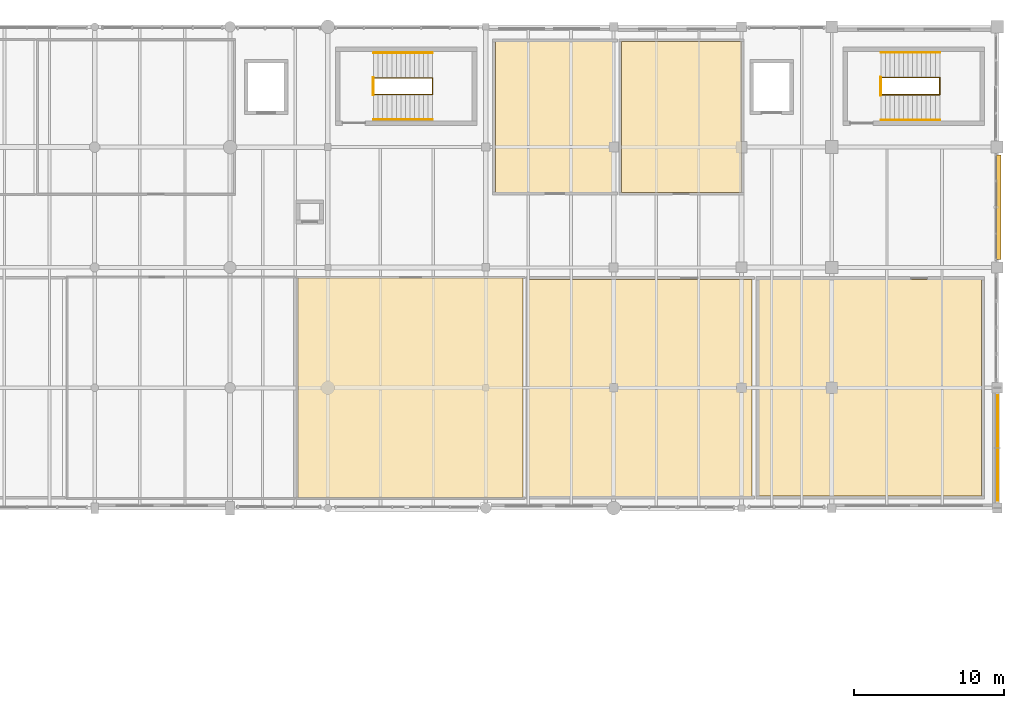
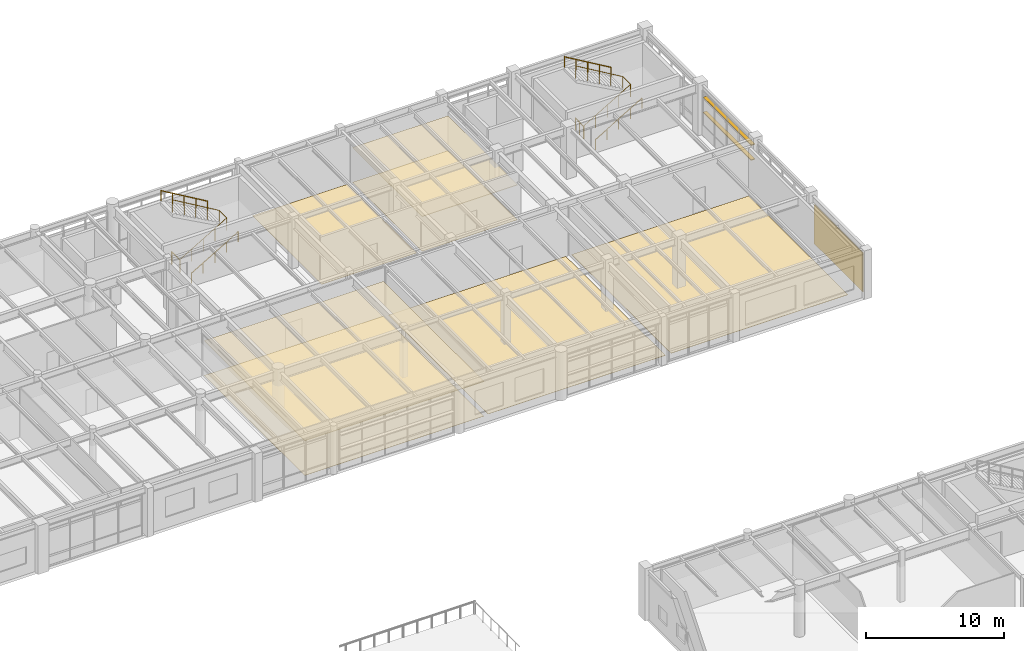
# One storey, part 168 of 168: 8 coverings, 8 railings, 2 shading devices.
"""IFC4 building model written with IfcOpenShell, lengths in metres."""

from ifc_helpers import new_model, si_unit, direction, frame, origin, origin_2d, place, context, subcontext, project, spatial, polyline, rectangle, circle, outline, extrude, material, layer, layer_set, type_object, element, save


model = new_model("IFC4")

# Units and contexts
model_context = context("Model", 3, precision=1e-05, world=origin(), true_north=direction((0.0, 1.0)))
body_context = subcontext(model_context, "Body", "Model", "MODEL_VIEW")
ifc_project = project(units=[si_unit("LENGTHUNIT", "METRE"), si_unit("AREAUNIT", "SQUARE_METRE"), si_unit("VOLUMEUNIT", "CUBIC_METRE"), si_unit("PLANEANGLEUNIT", "RADIAN"), si_unit("MASSUNIT", "GRAM", prefix="KILO"), si_unit("THERMODYNAMICTEMPERATUREUNIT", "KELVIN"), si_unit("POWERUNIT", "WATT")], contexts=[model_context])

# Site, building, storey
site_placement = place(None, origin())
site = spatial("IfcSite", under=ifc_project, at=site_placement, CompositionType="ELEMENT")
building_placement = place(site_placement, origin())
building = spatial("IfcBuilding", under=site, at=building_placement, Name="Tepalcoro Natatorium and Aquatics Centre", CompositionType="ELEMENT")
storey_placement = place(building_placement, frame((0.0, 0.0, 10.199951171875)))
storey = spatial("IfcBuildingStorey", under=building, at=storey_placement, Name="L02", CompositionType="ELEMENT", Elevation=10.199951171875)

# Coverings
ifc_material_1 = material(Name="Jalisco Cantera Rosa Volcanic Tuff Ashlar Masonry", Category="masonry")
ifc_layer_1 = layer(ifc_material_1, 0.06005859375)
ifc_layer_set_1 = layer_set([ifc_layer_1], Name="Jalisco Cantera Rosa Volcanic Tuff Ashlar Masonry")
covering_type_1 = type_object("IfcCoveringType", Name="CD_CANTERA_60", PredefinedType="CLADDING", material=ifc_layer_set_1)
covering_1_placement = place(storey_placement, frame((176.02490234375, 89.987548828125, 0.10009765625), z_axis=(0.0, 0.0, 1.0), x_axis=(1.0, 0.0, 0.0)))
element("IfcCovering", 1, at=covering_1_placement, inside=storey, type_object=covering_type_1, Name="Volcanic Stone Facade Cladding CD_CANTERA_60", PredefinedType="CLADDING", context=body_context, shape_type="SweptSolid", body=[
    extrude(rectangle(XDim=0.06005859375, YDim=7.01708984375, at=origin_2d()), origin(), (0.0, 0.0, 1.0), 3.4580078125),
])
ifc_material_2 = material(Name="Perforated Corrosion-Resistant Acoustic Aluminium Baffle Ceiling", Category="aluminium")
ifc_layer_2 = layer(ifc_material_2, 0.044921875)
ifc_layer_set_2 = layer_set([ifc_layer_2], Name="Perforated Corrosion-Resistant Acoustic Aluminium Baffle Ceiling")
covering_type_2 = type_object("IfcCoveringType", Name="CL_BAFFLE_120", PredefinedType="CEILING", material=ifc_layer_set_2)
covering_2_placement = place(storey_placement, frame((0.0, 0.0, 3.050048828125)))
element("IfcCovering", 2, at=covering_2_placement, inside=storey, type_object=covering_type_2, Name="VIP Federation Delegates Dining Salon Suspended Ceiling", PredefinedType="CEILING", context=body_context, shape_type="SweptSolid", body=[
    extrude(outline(polyline([(129.514892578125, 86.715087890625), (129.514892578125, 101.284912109375), (144.485107421875, 101.284912109375), (144.485107421875, 86.715087890625), (129.514892578125, 86.715087890625)])), origin(), (0.0, 0.0, 1.0), 0.044921875),
])
covering_3_placement = place(storey_placement, frame((0.0, 0.0, 3.050048828125)))
element("IfcCovering", 3, at=covering_3_placement, inside=storey, type_object=covering_type_2, Name="Broadcast Archive & Equipment Store Suspended Ceiling", PredefinedType="CEILING", context=body_context, shape_type="SweptSolid", body=[
    extrude(outline(polyline([(151.010009765625, 106.969970703125), (151.010009765625, 117.030029296875), (158.989990234375, 117.030029296875), (158.989990234375, 106.969970703125), (151.010009765625, 106.969970703125)])), origin(), (0.0, 0.0, 1.0), 0.044921875),
])
ifc_material_3 = material(Name="Shock-Absorbing Vulcanised Athletic Rubber Flooring")
ifc_layer_3 = layer(ifc_material_3, 0.010009765625)
ifc_layer_set_3 = layer_set([ifc_layer_3], Name="Shock-Absorbing Vulcanised Athletic Rubber Flooring")
covering_type_3 = type_object("IfcCoveringType", Name="FL_CARPET_10", PredefinedType="FLOORING", material=ifc_layer_set_3)
covering_4_placement = place(storey_placement, origin())
element("IfcCovering", 4, at=covering_4_placement, inside=storey, type_object=covering_type_3, Name="Server Room, Timing Redundancy & UPS Suite Floor Finish", PredefinedType="FLOORING", context=body_context, shape_type="SweptSolid", body=[
    extrude(outline(polyline([(142.635009765625, 106.9951171875), (142.635009765625, 117.0048828125), (150.56494140625, 117.0048828125), (150.56494140625, 106.9951171875), (142.635009765625, 106.9951171875)])), origin(), (0.0, 0.0, 1.0), 0.010009765625),
])
ifc_material_4 = material(Name="Slip-Resistant Porcelain Aquatic Deck Tile")
ifc_layer_4 = layer(ifc_material_4, 0.02197265625)
ifc_layer_set_4 = layer_set([ifc_layer_4], Name="Slip-Resistant Porcelain Aquatic Deck Tile")
covering_type_4 = type_object("IfcCoveringType", Name="FL_DECK_TILE_22", PredefinedType="FLOORING", material=ifc_layer_set_4)
covering_5_placement = place(storey_placement, origin())
element("IfcCovering", 5, at=covering_5_placement, inside=storey, type_object=covering_type_4, Name="Thermal Spa Massage & Hydro-Jet Treatment Suites Floor Finish", PredefinedType="FLOORING", context=body_context, shape_type="SweptSolid", body=[
    extrude(outline(polyline([(144.8701171875, 86.7900390625), (144.8701171875, 101.2099609375), (159.68994140625, 101.2099609375), (159.68994140625, 86.7900390625), (144.8701171875, 86.7900390625)])), origin(), (0.0, 0.0, 1.0), 0.02197265625),
])
ifc_layer_5 = layer(ifc_material_3, 0.011962890625)
ifc_layer_set_5 = layer_set([ifc_layer_5], Name="Shock-Absorbing Vulcanised Athletic Rubber Flooring")
covering_type_5 = type_object("IfcCoveringType", Name="FL_RUBBER_12", PredefinedType="FLOORING", material=ifc_layer_set_5)
covering_6_placement = place(storey_placement, origin())
element("IfcCovering", 6, at=covering_6_placement, inside=storey, type_object=covering_type_5, Name="Broadcast Archive & Equipment Store Floor Finish", PredefinedType="FLOORING", context=body_context, shape_type="SweptSolid", body=[
    extrude(outline(polyline([(151.010009765625, 106.969970703125), (151.010009765625, 117.030029296875), (158.989990234375, 117.030029296875), (158.989990234375, 106.969970703125), (151.010009765625, 106.969970703125)])), origin(), (0.0, 0.0, 1.0), 0.011962890625),
])
ifc_layer_6 = layer(ifc_material_4, 0.01806640625)
ifc_layer_set_6 = layer_set([ifc_layer_6], Name="Slip-Resistant Porcelain Aquatic Deck Tile")
covering_type_6 = type_object("IfcCoveringType", Name="FL_TILE_18", PredefinedType="FLOORING", material=ifc_layer_set_6)
covering_7_placement = place(storey_placement, origin())
element("IfcCovering", 7, at=covering_7_placement, inside=storey, type_object=covering_type_6, Name="VIP Federation Delegates Dining Salon Floor Finish", PredefinedType="FLOORING", context=body_context, shape_type="SweptSolid", body=[
    extrude(outline(polyline([(129.514892578125, 86.715087890625), (129.514892578125, 101.284912109375), (144.485107421875, 101.284912109375), (144.485107421875, 86.715087890625), (129.514892578125, 86.715087890625)])), origin(), (0.0, 0.0, 1.0), 0.01806640625),
])
ifc_material_5 = material(Name="Sprung Maple Sports Floor Assembly")
ifc_layer_7 = layer(ifc_material_5, 0.02392578125)
ifc_layer_set_7 = layer_set([ifc_layer_7], Name="Sprung Maple Sports Floor Assembly")
covering_type_7 = type_object("IfcCoveringType", Name="FL_WOOD_22", PredefinedType="FLOORING", material=ifc_layer_set_7)
covering_8_placement = place(storey_placement, origin())
element("IfcCovering", 8, at=covering_8_placement, inside=storey, type_object=covering_type_7, Name="L02 Spa & Broadcast Male/Female & Accessible WC Floor Finish", PredefinedType="FLOORING", context=body_context, shape_type="SweptSolid", body=[
    extrude(outline(polyline([(160.169921875, 86.81005859375), (160.169921875, 101.18994140625), (174.949951171875, 101.18994140625), (174.949951171875, 86.81005859375), (160.169921875, 86.81005859375)])), origin(), (0.0, 0.0, 1.0), 0.024169921875),
])

# Railings
ifc_material_6 = material(Name="Marine-Grade Brushed Stainless Steel AISI 316L", Category="steel")
railing_type_1 = type_object("IfcRailingType", Name="RL_GLASS_1100", PredefinedType="GUARDRAIL", material=ifc_material_6)
railing_1_placement = place(storey_placement, frame((134.550048828125, 113.5, 0.0)))
element("IfcRailing", 9, at=railing_1_placement, inside=storey, type_object=railing_type_1, Name="ST09-L02 Inner Stairwell Guardrail", PredefinedType="GUARDRAIL", context=body_context, shape_type="SweptSolid", body=[
    extrude(circle(Radius=0.02392578125, at=origin_2d()), frame((0.0, 0.0, 1.09619140625), z_axis=(0.861355618505, 0.0, 0.508002459117), x_axis=(0.0, 1.0, 0.0)), (0.0, 0.0, 1.0), 4.527587890625),
    extrude(circle(Radius=0.02392578125, at=origin_2d()), frame((3.89990234375, 0.0, 3.39599609375), z_axis=(0.0, 1.0, 0.0), x_axis=(-1.0, 0.0, 0.0)), (0.0, 0.0, 1.0), 1.10009765625),
    extrude(circle(Radius=0.02392578125, at=origin_2d()), frame((3.89990234375, 1.10009765625, 3.39599609375), z_axis=(-0.861355618505, 0.0, 0.508002459117), x_axis=(0.0, -1.0, 0.0)), (0.0, 0.0, 1.0), 4.527587890625),
    extrude(circle(Radius=0.02099609375, at=origin_2d()), origin(), (0.0, 0.0, 1.0), 1.072021484375),
    extrude(circle(Radius=0.02099609375, at=origin_2d()), frame((0.97509765625, 0.0, 0.574951171875)), (0.0, 0.0, 1.0), 1.072021484375),
    extrude(circle(Radius=0.02099609375, at=origin_2d()), frame((1.949951171875, 0.0, 1.14990234375)), (0.0, 0.0, 1.0), 1.072021484375),
    extrude(circle(Radius=0.02099609375, at=origin_2d()), frame((2.9248046875, 0.0, 1.72509765625)), (0.0, 0.0, 1.0), 1.072021484375),
    extrude(circle(Radius=0.02099609375, at=origin_2d()), frame((3.89990234375, 0.0, 2.300048828125)), (0.0, 0.0, 1.0), 1.072021484375),
    extrude(circle(Radius=0.02099609375, at=origin_2d()), frame((3.89990234375, 1.10009765625, 2.300048828125)), (0.0, 0.0, 1.0), 1.072021484375),
    extrude(circle(Radius=0.02099609375, at=origin_2d()), frame((2.9248046875, 1.10009765625, 2.875)), (0.0, 0.0, 1.0), 1.072021484375),
    extrude(circle(Radius=0.02099609375, at=origin_2d()), frame((1.949951171875, 1.10009765625, 3.4501953125)), (0.0, 0.0, 1.0), 1.072021484375),
    extrude(circle(Radius=0.02099609375, at=origin_2d()), frame((0.97509765625, 1.10009765625, 4.025146484375)), (0.0, 0.0, 1.0), 1.072021484375),
    extrude(circle(Radius=0.02099609375, at=origin_2d()), frame((0.0, 1.10009765625, 4.60009765625)), (0.0, 0.0, 1.0), 1.072021484375),
])
railing_2_placement = place(storey_placement, frame((134.52001953125, 113.4599609375, 0.0)))
element("IfcRailing", 10, at=railing_2_placement, inside=storey, type_object=railing_type_1, Name="ST09-L02 Landing Well Slot Guard", PredefinedType="GUARDRAIL", context=body_context, shape_type="SweptSolid", body=[
    extrude(circle(Radius=0.02392578125, at=origin_2d()), frame((0.0, 0.0, 1.09619140625), z_axis=(0.0, 1.0, 0.0), x_axis=(-1.0, 0.0, 0.0)), (0.0, 0.0, 1.0), 1.179931640625),
    extrude(circle(Radius=0.02099609375, at=origin_2d()), origin(), (0.0, 0.0, 1.0), 1.072021484375),
    extrude(circle(Radius=0.02099609375, at=origin_2d()), frame((0.0, 1.179931640625, 0.0)), (0.0, 0.0, 1.0), 1.072021484375),
])
railing_3_placement = place(storey_placement, frame((168.280029296875, 113.47998046875, 0.0)))
element("IfcRailing", 11, at=railing_3_placement, inside=storey, type_object=railing_type_1, Name="ST10-L02 Inner Stairwell Guardrail", PredefinedType="GUARDRAIL", context=body_context, shape_type="SweptSolid", body=[
    extrude(circle(Radius=0.02392578125, at=origin_2d()), frame((0.0, 0.0, 1.09619140625), z_axis=(0.861355618505, 0.0, 0.508002459117), x_axis=(0.0, 1.0, 0.0)), (0.0, 0.0, 1.0), 4.527587890625),
    extrude(circle(Radius=0.02392578125, at=origin_2d()), frame((3.89990234375, 0.0, 3.39599609375), z_axis=(0.0, 1.0, 0.0), x_axis=(-1.0, 0.0, 0.0)), (0.0, 0.0, 1.0), 1.14013671875),
    extrude(circle(Radius=0.02392578125, at=origin_2d()), frame((3.89990234375, 1.14013671875, 3.39599609375), z_axis=(-0.861355618505, 0.0, 0.508002459117), x_axis=(0.0, -1.0, 0.0)), (0.0, 0.0, 1.0), 4.527587890625),
    extrude(circle(Radius=0.02099609375, at=origin_2d()), origin(), (0.0, 0.0, 1.0), 1.072021484375),
    extrude(circle(Radius=0.02099609375, at=origin_2d()), frame((0.97509765625, 0.0, 0.574951171875)), (0.0, 0.0, 1.0), 1.072021484375),
    extrude(circle(Radius=0.02099609375, at=origin_2d()), frame((1.949951171875, 0.0, 1.14990234375)), (0.0, 0.0, 1.0), 1.072021484375),
    extrude(circle(Radius=0.02099609375, at=origin_2d()), frame((2.9248046875, 0.0, 1.72509765625)), (0.0, 0.0, 1.0), 1.072021484375),
    extrude(circle(Radius=0.02099609375, at=origin_2d()), frame((3.89990234375, 0.0, 2.300048828125)), (0.0, 0.0, 1.0), 1.072021484375),
    extrude(circle(Radius=0.02099609375, at=origin_2d()), frame((3.89990234375, 1.14013671875, 2.300048828125)), (0.0, 0.0, 1.0), 1.072021484375),
    extrude(circle(Radius=0.02099609375, at=origin_2d()), frame((2.9248046875, 1.14013671875, 2.875)), (0.0, 0.0, 1.0), 1.072021484375),
    extrude(circle(Radius=0.02099609375, at=origin_2d()), frame((1.949951171875, 1.14013671875, 3.4501953125)), (0.0, 0.0, 1.0), 1.072021484375),
    extrude(circle(Radius=0.02099609375, at=origin_2d()), frame((0.97509765625, 1.14013671875, 4.025146484375)), (0.0, 0.0, 1.0), 1.072021484375),
    extrude(circle(Radius=0.02099609375, at=origin_2d()), frame((0.0, 1.14013671875, 4.60009765625)), (0.0, 0.0, 1.0), 1.072021484375),
])
railing_4_placement = place(storey_placement, frame((168.25, 113.43994140625, 0.0)))
element("IfcRailing", 12, at=railing_4_placement, inside=storey, type_object=railing_type_1, Name="ST10-L02 Landing Well Slot Guard", PredefinedType="GUARDRAIL", context=body_context, shape_type="SweptSolid", body=[
    extrude(circle(Radius=0.02392578125, at=origin_2d()), frame((0.0, 0.0, 1.09619140625), z_axis=(0.0, 1.0, 0.0), x_axis=(-1.0, 0.0, 0.0)), (0.0, 0.0, 1.0), 1.219970703125),
    extrude(circle(Radius=0.02099609375, at=origin_2d()), origin(), (0.0, 0.0, 1.0), 1.072021484375),
    extrude(circle(Radius=0.02099609375, at=origin_2d()), frame((0.0, 0.60986328125, 0.0)), (0.0, 0.0, 1.0), 1.072021484375),
    extrude(circle(Radius=0.02099609375, at=origin_2d()), frame((0.0, 1.219970703125, 0.0)), (0.0, 0.0, 1.0), 1.072021484375),
])
railing_type_2 = type_object("IfcRailingType", Name="RL_HAND_920_SS", PredefinedType="HANDRAIL", material=ifc_material_6)
railing_5_placement = place(storey_placement, frame((134.550048828125, 111.830078125, 0.0)))
element("IfcRailing", 13, at=railing_5_placement, inside=storey, type_object=railing_type_2, Name="ST09-L02 Wall Handrail F1", PredefinedType="HANDRAIL", context=body_context, shape_type="SweptSolid", body=[
    extrude(circle(Radius=0.02392578125, at=origin_2d()), frame((0.0, 0.0, 0.89599609375), z_axis=(0.861355618505, 0.0, 0.508002459117), x_axis=(0.0, 1.0, 0.0)), (0.0, 0.0, 1.0), 4.527587890625),
    extrude(circle(Radius=0.02099609375, at=origin_2d()), origin(), (0.0, 0.0, 1.0), 0.871826171875),
    extrude(circle(Radius=0.02099609375, at=origin_2d()), frame((0.97509765625, 0.0, 0.574951171875)), (0.0, 0.0, 1.0), 0.871826171875),
    extrude(circle(Radius=0.02099609375, at=origin_2d()), frame((1.949951171875, 0.0, 1.14990234375)), (0.0, 0.0, 1.0), 0.871826171875),
    extrude(circle(Radius=0.02099609375, at=origin_2d()), frame((2.9248046875, 0.0, 1.72509765625)), (0.0, 0.0, 1.0), 0.871826171875),
    extrude(circle(Radius=0.02099609375, at=origin_2d()), frame((3.89990234375, 0.0, 2.300048828125)), (0.0, 0.0, 1.0), 0.871826171875),
])
railing_6_placement = place(storey_placement, frame((138.449951171875, 116.27001953125, 2.300048828125)))
element("IfcRailing", 14, at=railing_6_placement, inside=storey, type_object=railing_type_2, Name="ST09-L02 Wall Handrail F2", PredefinedType="HANDRAIL", context=body_context, shape_type="SweptSolid", body=[
    extrude(circle(Radius=0.02392578125, at=origin_2d()), frame((0.0, 0.0, 0.89599609375), z_axis=(-0.861355618505, 0.0, 0.508002459117), x_axis=(0.0, -1.0, 0.0)), (0.0, 0.0, 1.0), 4.527587890625),
    extrude(circle(Radius=0.02099609375, at=origin_2d()), origin(), (0.0, 0.0, 1.0), 0.871826171875),
    extrude(circle(Radius=0.02099609375, at=origin_2d()), frame((-0.97509765625, 0.0, 0.574951171875)), (0.0, 0.0, 1.0), 0.871826171875),
    extrude(circle(Radius=0.02099609375, at=origin_2d()), frame((-1.949951171875, 0.0, 1.14990234375)), (0.0, 0.0, 1.0), 0.871826171875),
    extrude(circle(Radius=0.02099609375, at=origin_2d()), frame((-2.9248046875, 0.0, 1.72509765625)), (0.0, 0.0, 1.0), 0.871826171875),
    extrude(circle(Radius=0.02099609375, at=origin_2d()), frame((-3.89990234375, 0.0, 2.300048828125)), (0.0, 0.0, 1.0), 0.871826171875),
])
railing_7_placement = place(storey_placement, frame((168.280029296875, 111.81005859375, 0.0)))
element("IfcRailing", 15, at=railing_7_placement, inside=storey, type_object=railing_type_2, Name="ST10-L02 Wall Handrail F1", PredefinedType="HANDRAIL", context=body_context, shape_type="SweptSolid", body=[
    extrude(circle(Radius=0.02392578125, at=origin_2d()), frame((0.0, 0.0, 0.89599609375), z_axis=(0.861355618505, 0.0, 0.508002459117), x_axis=(0.0, 1.0, 0.0)), (0.0, 0.0, 1.0), 4.527587890625),
    extrude(circle(Radius=0.02099609375, at=origin_2d()), origin(), (0.0, 0.0, 1.0), 0.871826171875),
    extrude(circle(Radius=0.02099609375, at=origin_2d()), frame((0.97509765625, 0.0, 0.574951171875)), (0.0, 0.0, 1.0), 0.871826171875),
    extrude(circle(Radius=0.02099609375, at=origin_2d()), frame((1.949951171875, 0.0, 1.14990234375)), (0.0, 0.0, 1.0), 0.871826171875),
    extrude(circle(Radius=0.02099609375, at=origin_2d()), frame((2.9248046875, 0.0, 1.72509765625)), (0.0, 0.0, 1.0), 0.871826171875),
    extrude(circle(Radius=0.02099609375, at=origin_2d()), frame((3.89990234375, 0.0, 2.300048828125)), (0.0, 0.0, 1.0), 0.871826171875),
])
railing_8_placement = place(storey_placement, frame((172.179931640625, 116.2900390625, 2.300048828125)))
element("IfcRailing", 16, at=railing_8_placement, inside=storey, type_object=railing_type_2, Name="ST10-L02 Wall Handrail F2", PredefinedType="HANDRAIL", context=body_context, shape_type="SweptSolid", body=[
    extrude(circle(Radius=0.02392578125, at=origin_2d()), frame((0.0, 0.0, 0.89599609375), z_axis=(-0.861355618505, 0.0, 0.508002459117), x_axis=(0.0, -1.0, 0.0)), (0.0, 0.0, 1.0), 4.527587890625),
    extrude(circle(Radius=0.02099609375, at=origin_2d()), origin(), (0.0, 0.0, 1.0), 0.871826171875),
    extrude(circle(Radius=0.02099609375, at=origin_2d()), frame((-0.97509765625, 0.0, 0.574951171875)), (0.0, 0.0, 1.0), 0.871826171875),
    extrude(circle(Radius=0.02099609375, at=origin_2d()), frame((-1.949951171875, 0.0, 1.14990234375)), (0.0, 0.0, 1.0), 0.871826171875),
    extrude(circle(Radius=0.02099609375, at=origin_2d()), frame((-2.9248046875, 0.0, 1.72509765625)), (0.0, 0.0, 1.0), 0.871826171875),
    extrude(circle(Radius=0.02099609375, at=origin_2d()), frame((-3.89990234375, 0.0, 2.300048828125)), (0.0, 0.0, 1.0), 0.871826171875),
])

# Shading devices
ifc_material_7 = material(Name="Bronze-Anodised Extruded Aluminium Alloy EN AW-6063 T6", Category="aluminium")
shading_device_type = type_object("IfcShadingDeviceType", Name="SHD_FIN_BRONZE", PredefinedType="SHUTTER", material=ifc_material_7)
for number, where, z_axis, x_axis, name in (
    (17, (176.0888671875, 106.0, 1.985595703125), (0.0, 0.0, 1.0), (1.0, 0.0, 0.0), "Solar Shading Brise-Soleil SHD_FIN_BRONZE"),
    (18, (176.0888671875, 106.0, 3.300048828125), (0.0, 0.0, 1.0), (1.0, 0.0, 0.0), "Solar Shading Brise-Soleil SHD_FIN_BRONZE"),
):
    element("IfcShadingDevice", number, at=place(storey_placement, frame(where, z_axis=z_axis, x_axis=x_axis)), inside=storey, type_object=shading_device_type, Name=name, PredefinedType="SHUTTER", context=body_context, shape_type="SweptSolid", body=[
        extrude(rectangle(XDim=0.300048828125, YDim=6.9599609375, at=origin_2d()), origin(), (0.0, 0.0, 1.0), 0.080078125),
    ])

save(model, "model.ifc")
